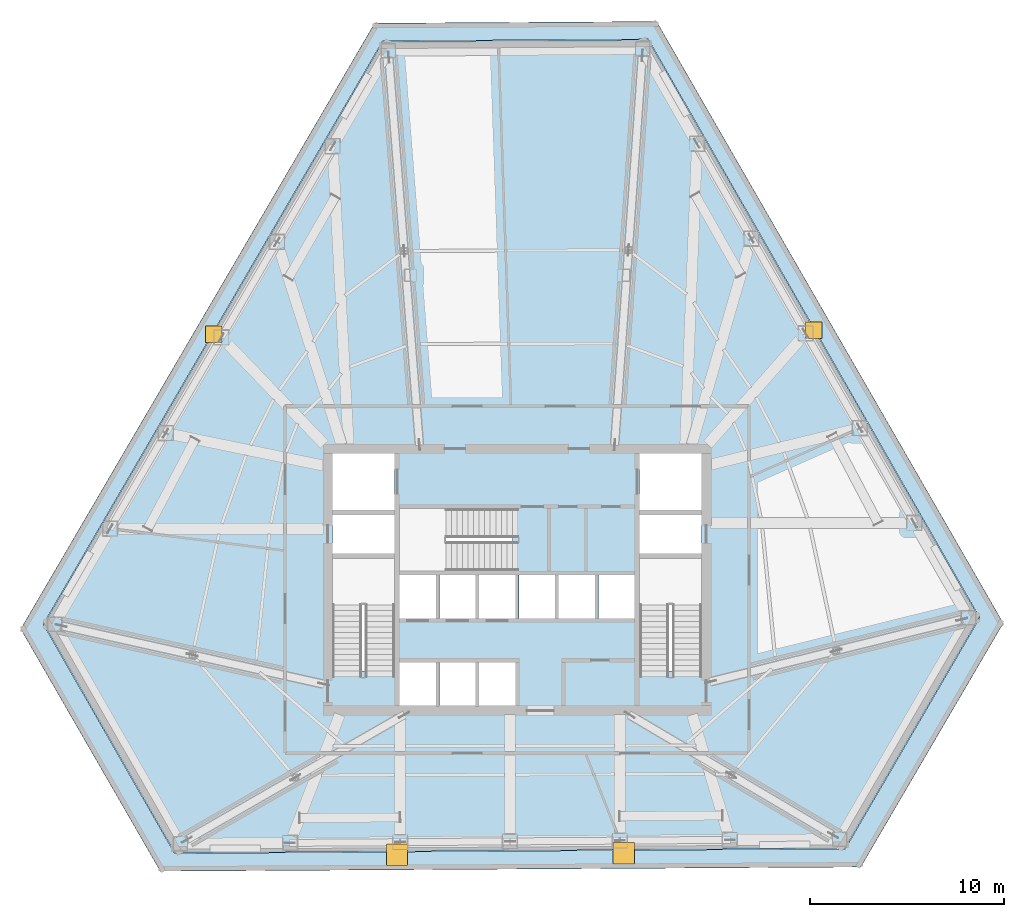
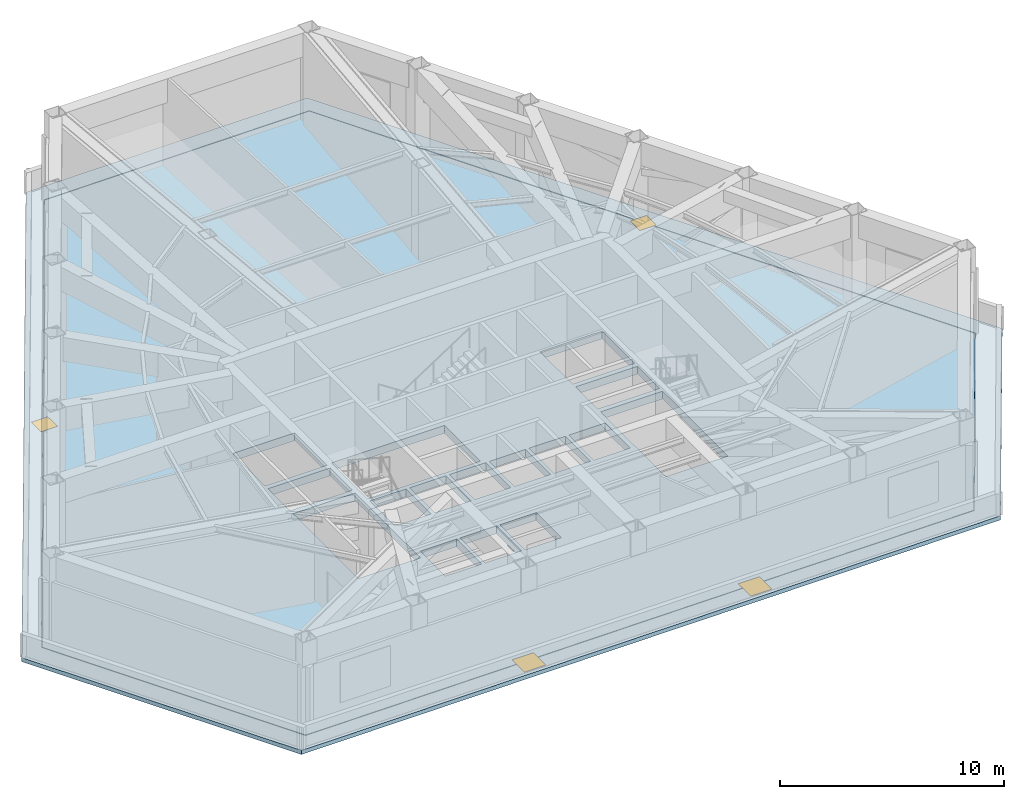
# One storey, part 4 of 12: 4 windows, 2 slabs, 4 openings.
"""IFC4 building model written with IfcOpenShell, lengths in metres."""

from ifc_helpers import new_model, si_unit, direction, frame, origin, origin_2d, place, context, subcontext, project, spatial, polyline, rectangle, outline, extrude, material, layer, layer_set, type_object, element, fill, save


model = new_model("IFC4")

# Units and contexts
model_context = context("Model", 3, precision=1e-05, world=origin(), true_north=direction((0.0, 1.0)))
body_context = subcontext(model_context, "Body", "Model", "MODEL_VIEW")
ifc_project = project(units=[si_unit("LENGTHUNIT", "METRE"), si_unit("AREAUNIT", "SQUARE_METRE"), si_unit("VOLUMEUNIT", "CUBIC_METRE"), si_unit("PLANEANGLEUNIT", "RADIAN"), si_unit("MASSUNIT", "GRAM", prefix="KILO")], contexts=[model_context])

# Site, building, storey
site_placement = place(None, origin())
site = spatial("IfcSite", under=ifc_project, at=site_placement, CompositionType="ELEMENT")
building_placement = place(site_placement, origin())
building = spatial("IfcBuilding", under=site, at=building_placement, Name="Kavelnor Concourse Tower", CompositionType="ELEMENT")
storey_placement = place(building_placement, frame((0.0, 0.0, 75.300048828125)))
storey = spatial("IfcBuildingStorey", under=building, at=storey_placement, Name="L19", CompositionType="ELEMENT", Elevation=75.300048828125)

# Slab, openings, windows
ifc_material_1 = material(Name="Concrete C40/50", Category="concrete")
ifc_layer_1 = layer(ifc_material_1, 0.219970703125, Name="Concrete C40/50")
ifc_layer_set_1 = layer_set([ifc_layer_1], Name="Concrete C40/50")
slab_type_1 = type_object("IfcSlabType", Name="SLB-SETBACK-ROOF-220", PredefinedType="ROOF", material=ifc_layer_set_1)
slab_1_placement = place(storey_placement, frame((0.0, 0.0, -0.219970703125)))
slab_1 = element("IfcSlab", 1, at=slab_1_placement, inside=storey, type_object=slab_type_1, Name="L19 Setback Structural Roof Slab 1", PredefinedType="ROOF", context=body_context, shape_type="SweptSolid", body=[
    extrude(outline(polyline([(63.083740234375, 13.85595703125), (55.73388671875, 1.2744140625), (19.592529296875, 1.05908203125), (12.392822265625, 13.5537109375), (30.650146484375, 44.805908203125), (45.19970703125, 44.892822265625), (63.083740234375, 13.85595703125)]), holes=[polyline([(31.06640625, 43.885986328125), (13.560546875, 13.802490234375), (20.331787109375, 1.98046875), (54.932373046875, 2.2177734375), (61.8662109375, 14.13330078125), (44.77099609375, 43.97998046875), (31.06640625, 43.885986328125)])]), origin(), (0.0, 0.0, 1.0), 0.219970703125),
])
opening_1_placement = place(slab_1_placement, frame((22.341796875, 28.76708984375, 0.0)))
opening_1 = element("IfcOpeningElement", 2, at=opening_1_placement, cuts=slab_1, Name="Opening SK-01", PredefinedType="OPENING", context=body_context, shape_type="SweptSolid", body=[
    extrude(rectangle(XDim=0.85009765625, YDim=0.85009765625, at=origin_2d()), frame((0.0, 0.0, -0.010009765625)), (0.0, 0.0, 1.0), 0.239990234375),
])
opening_2_placement = place(slab_1_placement, frame((53.305908203125, 28.970458984375, 0.0)))
opening_2 = element("IfcOpeningElement", 3, at=opening_2_placement, cuts=slab_1, Name="Opening SK-01", PredefinedType="OPENING", context=body_context, shape_type="SweptSolid", body=[
    extrude(rectangle(XDim=0.85009765625, YDim=0.85009765625, at=origin_2d()), frame((0.0, 0.0, -0.010009765625)), (0.0, 0.0, 1.0), 0.239990234375),
])
opening_3_placement = place(slab_1_placement, frame((31.80517578125, 1.9150390625, 0.0)))
opening_3 = element("IfcOpeningElement", 4, at=opening_3_placement, cuts=slab_1, Name="Opening RH-01", PredefinedType="OPENING", context=body_context, shape_type="SweptSolid", body=[
    extrude(rectangle(XDim=1.10009765625, YDim=1.10009765625, at=origin_2d()), frame((0.0, 0.0, -0.010009765625)), (0.0, 0.0, 1.0), 0.239990234375),
])
opening_4_placement = place(slab_1_placement, frame((43.501220703125, 1.988037109375, 0.0)))
opening_4 = element("IfcOpeningElement", 5, at=opening_4_placement, cuts=slab_1, Name="Opening RH-01", PredefinedType="OPENING", context=body_context, shape_type="SweptSolid", body=[
    extrude(rectangle(XDim=1.10009765625, YDim=1.10009765625, at=origin_2d()), frame((0.0, 0.0, -0.010009765625)), (0.0, 0.0, 1.0), 0.239990234375),
])
ifc_material_2 = material(Name="Anodised aluminium 6063-T6", Category="aluminium")
window_type_1 = type_object("IfcWindowType", Name="WIN-ROOF-HATCH", PartitioningType="SINGLE_PANEL", PredefinedType="SKYLIGHT", material=ifc_material_2)
window_1_placement = place(opening_3_placement, frame((0.0, 0.0, 0.169921875)))
window_1 = element("IfcWindow", 6, at=window_1_placement, inside=storey, type_object=window_type_1, Name="L19 Setback Roof Access and Smoke Vent Hatch 1", OverallHeight=1.10009765625, OverallWidth=1.10009765625, PartitioningType="SINGLE_PANEL", PredefinedType="SKYLIGHT", context=body_context, shape_type="SweptSolid", body=[
    extrude(rectangle(XDim=1.10009765625, YDim=1.10009765625, at=origin_2d()), origin(), (0.0, 0.0, 1.0), 0.050048828125),
])
fill(opening_3, window_1)
window_2_placement = place(opening_4_placement, frame((0.0, 0.0, 0.169921875)))
window_2 = element("IfcWindow", 7, at=window_2_placement, inside=storey, type_object=window_type_1, Name="L19 Setback Roof Access and Smoke Vent Hatch 2", OverallHeight=1.10009765625, OverallWidth=1.10009765625, PartitioningType="SINGLE_PANEL", PredefinedType="SKYLIGHT", context=body_context, shape_type="SweptSolid", body=[
    extrude(rectangle(XDim=1.10009765625, YDim=1.10009765625, at=origin_2d()), origin(), (0.0, 0.0, 1.0), 0.050048828125),
])
fill(opening_4, window_2)
ifc_material_3 = material(Name="Double low-E argon insulated glazing", Category="glass")
window_type_2 = type_object("IfcWindowType", Name="WIN-ROOF-SKYLIGHT", PartitioningType="SINGLE_PANEL", PredefinedType="SKYLIGHT", material=ifc_material_3)
window_3_placement = place(opening_1_placement, frame((0.0, 0.0, 0.169921875)))
window_3 = element("IfcWindow", 8, at=window_3_placement, inside=storey, type_object=window_type_2, Name="L19 Setback Roof Framed Skylight 1", OverallHeight=0.85009765625, OverallWidth=0.85009765625, PartitioningType="SINGLE_PANEL", PredefinedType="SKYLIGHT", context=body_context, shape_type="SweptSolid", body=[
    extrude(rectangle(XDim=0.85009765625, YDim=0.85009765625, at=origin_2d()), origin(), (0.0, 0.0, 1.0), 0.050048828125),
])
fill(opening_1, window_3)
window_4_placement = place(opening_2_placement, frame((0.0, 0.0, 0.169921875)))
window_4 = element("IfcWindow", 9, at=window_4_placement, inside=storey, type_object=window_type_2, Name="L19 Setback Roof Framed Skylight 2", OverallHeight=0.85009765625, OverallWidth=0.85009765625, PartitioningType="SINGLE_PANEL", PredefinedType="SKYLIGHT", context=body_context, shape_type="SweptSolid", body=[
    extrude(rectangle(XDim=0.85009765625, YDim=0.85009765625, at=origin_2d()), origin(), (0.0, 0.0, 1.0), 0.050048828125),
])
fill(opening_2, window_4)

# Slab
ifc_material_4 = material(Name="Concrete C50/60", Category="concrete")
ifc_layer_2 = layer(ifc_material_4, 0.419921875, Name="Concrete C50/60")
ifc_layer_set_2 = layer_set([ifc_layer_2], Name="Concrete C50/60")
slab_type_2 = type_object("IfcSlabType", Name="SLB-XFER-MAT-420", PredefinedType="FLOOR", material=ifc_layer_set_2)
slab_2_placement = place(storey_placement, frame((0.0, 0.0, -0.420166015625)))
element("IfcSlab", 10, at=slab_2_placement, inside=storey, type_object=slab_type_2, Name="L19 Composite Structural Floor Slab", PredefinedType="FLOOR", context=body_context, shape_type="SweptSolid", body=[
    extrude(outline(polyline([(44.759521484375, 43.9599609375), (31.077880859375, 43.8662109375), (13.58349609375, 13.80224609375), (20.34326171875, 2.00048828125), (54.9208984375, 2.23779296875), (61.843017578125, 14.13330078125), (44.759521484375, 43.9599609375)]), holes=[polyline([(28.47998046875, 11.3798828125), (31.679931640625, 11.3798828125), (31.679931640625, 17.199951171875), (28.47998046875, 17.199951171875), (28.47998046875, 11.3798828125)]), polyline([(44.320068359375, 11.3798828125), (47.52001953125, 11.3798828125), (47.52001953125, 17.199951171875), (44.320068359375, 17.199951171875), (44.320068359375, 11.3798828125)]), polyline([(31.93994140625, 16.56005859375), (37.760009765625, 16.56005859375), (37.760009765625, 19.760009765625), (31.93994140625, 19.760009765625), (31.93994140625, 16.56005859375)]), polyline([(28.47998046875, 19.699951171875), (31.679931640625, 19.699951171875), (31.679931640625, 22.60009765625), (28.47998046875, 22.60009765625), (28.47998046875, 19.699951171875)]), polyline([(44.320068359375, 19.699951171875), (47.52001953125, 19.699951171875), (47.52001953125, 22.60009765625), (44.320068359375, 22.60009765625), (44.320068359375, 19.699951171875)]), polyline([(31.93994140625, 14.10009765625), (33.81005859375, 14.10009765625), (33.81005859375, 16.340087890625), (31.93994140625, 16.340087890625), (31.93994140625, 14.10009765625)]), polyline([(33.989990234375, 14.10009765625), (35.860107421875, 14.10009765625), (35.860107421875, 16.340087890625), (33.989990234375, 16.340087890625), (33.989990234375, 14.10009765625)]), polyline([(36.0400390625, 14.10009765625), (37.909912109375, 14.10009765625), (37.909912109375, 16.340087890625), (36.0400390625, 16.340087890625), (36.0400390625, 14.10009765625)]), polyline([(38.090087890625, 14.10009765625), (39.9599609375, 14.10009765625), (39.9599609375, 16.340087890625), (38.090087890625, 16.340087890625), (38.090087890625, 14.10009765625)]), polyline([(40.139892578125, 14.10009765625), (42.010009765625, 14.10009765625), (42.010009765625, 16.340087890625), (40.139892578125, 16.340087890625), (40.139892578125, 14.10009765625)]), polyline([(42.18994140625, 14.10009765625), (44.06005859375, 14.10009765625), (44.06005859375, 16.340087890625), (42.18994140625, 16.340087890625), (42.18994140625, 14.10009765625)]), polyline([(31.93994140625, 9.60009765625), (33.81005859375, 9.60009765625), (33.81005859375, 11.840087890625), (31.93994140625, 11.840087890625), (31.93994140625, 9.60009765625)]), polyline([(33.989990234375, 9.60009765625), (35.860107421875, 9.60009765625), (35.860107421875, 11.840087890625), (33.989990234375, 11.840087890625), (33.989990234375, 9.60009765625)]), polyline([(36.0400390625, 9.60009765625), (37.909912109375, 9.60009765625), (37.909912109375, 11.840087890625), (36.0400390625, 11.840087890625), (36.0400390625, 9.60009765625)]), polyline([(28.47998046875, 17.4599609375), (31.679931640625, 17.4599609375), (31.679931640625, 19.43994140625), (28.47998046875, 19.43994140625), (28.47998046875, 17.4599609375)]), polyline([(44.320068359375, 17.4599609375), (47.52001953125, 17.4599609375), (47.52001953125, 19.43994140625), (44.320068359375, 19.43994140625), (44.320068359375, 17.4599609375)])]), origin(), (0.0, 0.0, 1.0), 0.420166015625),
])

save(model, "model.ifc")
